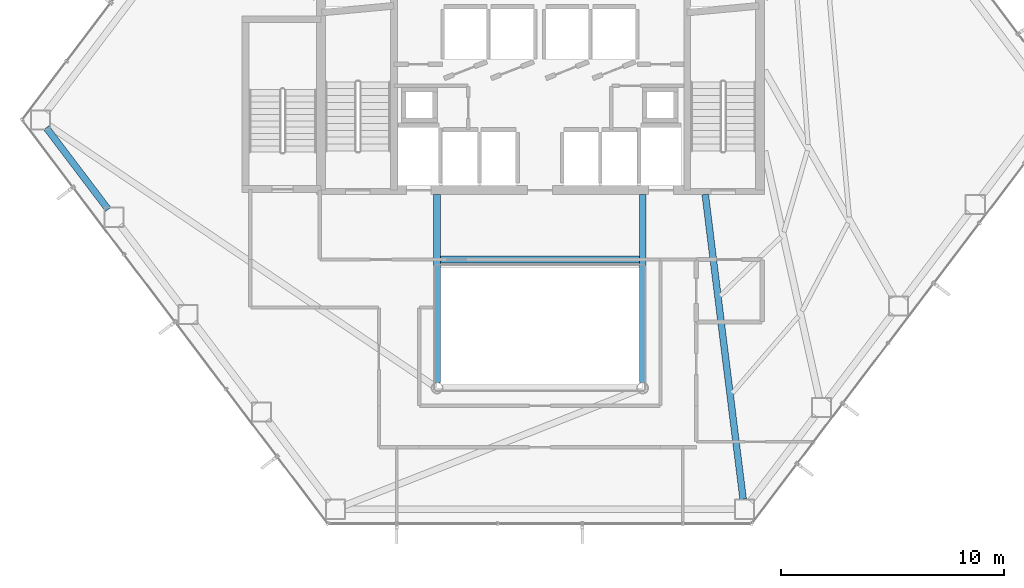
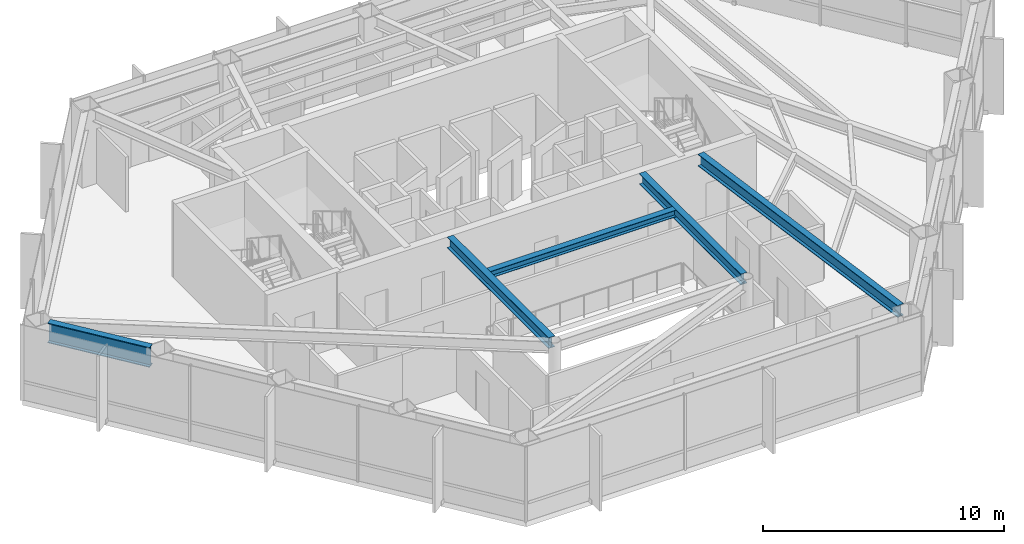
# One storey, part 9 of 24: 5 beams.
"""IFC4 building model written with IfcOpenShell, lengths in metres."""

import ifcopenshell
import ifcopenshell.guid

model = None  # the IFC model being written
_history = None  # IfcOwnerHistory: only IFC2X3 demands one
_inside = {}  # id of a spatial element -> (the spatial element, [elements in it])
_under = {}  # id of a project, library or spatial element -> (it, [spatial elements below it])
_declared = {}  # id of a project -> (the project, [libraries it declares])
_typed = {}  # id of a type object -> (the type object, [elements of that type])
_made_of = {}  # id of a material, layer set ... -> (it, [elements and type objects made of it])


def new_model(schema):
    """Start an empty IFC model of exactly this schema.

    Asked for "IFC4X3", IfcOpenShell would pick the latest addendum, in which some entities
    have other attributes; the version numbers below select the first issue.
    IFC2X3 requires an IfcOwnerHistory on every rooted entity: one is made here for all.
    """
    global model, _history
    if schema == "IFC4X3":
        model = ifcopenshell.file(schema_version=(4, 3, 0, 0))
    else:
        model = ifcopenshell.file(schema=schema)
    _inside.clear()
    _under.clear()
    _declared.clear()
    _typed.clear()
    _made_of.clear()
    _history = None
    if model.schema == "IFC2X3":
        org = make("IfcOrganization", Name="unknown")
        user = make(
            "IfcPersonAndOrganization",
            ThePerson=make("IfcPerson", FamilyName="unknown"),
            TheOrganization=org,
        )
        app = make(
            "IfcApplication",
            ApplicationDeveloper=org,
            Version="unknown",
            ApplicationFullName="unknown",
            ApplicationIdentifier="unknown",
        )
        _history = make(
            "IfcOwnerHistory",
            OwningUser=user,
            OwningApplication=app,
            ChangeAction="ADDED",
            CreationDate=0,
        )
    return model


def make(cls, **values):
    """One entity of the class cls with the attributes given. An attribute that is None is left unset."""
    return model.create_entity(
        cls, **{name: value for name, value in values.items() if value is not None}
    )


def rooted(cls, **values):
    """An entity with a GlobalId (a new one), such as an element, a storey or a relation."""
    return make(cls, GlobalId=ifcopenshell.guid.new(), OwnerHistory=_history, **values)


def si_unit(unit_type, name, prefix=None):
    """IfcSIUnit, for example si_unit("LENGTHUNIT", "METRE", prefix="MILLI")."""
    return make("IfcSIUnit", UnitType=unit_type, Prefix=prefix, Name=name)


def assignment(units):
    """IfcUnitAssignment: the units of a project."""
    return None if units is None else make("IfcUnitAssignment", Units=units)


def point(xyz):
    """IfcCartesianPoint."""
    return None if xyz is None else make("IfcCartesianPoint", Coordinates=xyz)


def direction(xyz):
    """IfcDirection."""
    return None if xyz is None else make("IfcDirection", DirectionRatios=xyz)


def frame(location, z_axis=None, x_axis=None):
    """IfcAxis2Placement3D, a coordinate frame: its origin and axes. An axis left out is left unset."""
    return make(
        "IfcAxis2Placement3D",
        Location=point(location),
        Axis=direction(z_axis),
        RefDirection=direction(x_axis),
    )


def frame_2d(location, x_axis=None):
    """IfcAxis2Placement2D, a coordinate frame in the plane: its origin and x axis."""
    return make(
        "IfcAxis2Placement2D", Location=point(location), RefDirection=direction(x_axis)
    )


def origin():
    """The frame at (0, 0, 0) with its axes left unset."""
    return frame((0.0, 0.0, 0.0))


def origin_2d():
    """The frame at (0, 0) in the plane with its x axis left unset."""
    return frame_2d((0.0, 0.0))


def place(relative_to, where):
    """IfcLocalPlacement: puts the frame where relative to a parent placement (None: the world)."""
    return make(
        "IfcLocalPlacement", PlacementRelTo=relative_to, RelativePlacement=where
    )


def context(
    kind, dimensions, precision=None, world=None, true_north=None, identifier=None
):
    """IfcGeometricRepresentationContext, for example the 3D "Model" context."""
    return make(
        "IfcGeometricRepresentationContext",
        ContextIdentifier=identifier,
        ContextType=kind,
        CoordinateSpaceDimension=dimensions,
        Precision=precision,
        WorldCoordinateSystem=world,
        TrueNorth=true_north,
    )


def subcontext(parent, identifier, kind, view, scale=None):
    """IfcGeometricRepresentationSubContext, for example "Body" below "Model"."""
    return make(
        "IfcGeometricRepresentationSubContext",
        ContextIdentifier=identifier,
        ContextType=kind,
        ParentContext=parent,
        TargetScale=scale,
        TargetView=view,
    )


def project(units=None, contexts=None):
    """IfcProject with its units and contexts."""
    return rooted(
        "IfcProject",
        Name="project",
        RepresentationContexts=contexts,
        UnitsInContext=assignment(units),
    )


def spatial(cls, under=None, at=None, **own):
    """A site, building, storey or space (cls), placed at a placement, below another one or the project."""
    s = rooted(cls, ObjectPlacement=at, **own)
    if under is not None:
        _under.setdefault(under.id(), (under, []))[1].append(s)
    return s


def profile(cls, at=None, kind="AREA", **sizes):
    """A parametric profile (cls). Its sizes go by their IFC names, for example OverallWidth=200.0."""
    return make(cls, ProfileType=kind, Position=at, **sizes)


def i_section(**sizes):
    """IfcIShapeProfileDef."""
    return profile("IfcIShapeProfileDef", **sizes)


def extrude(swept, where, along, depth):
    """IfcExtrudedAreaSolid: the profile swept, set in the frame where, extruded along a direction by depth."""
    return make(
        "IfcExtrudedAreaSolid",
        SweptArea=swept,
        Position=where,
        ExtrudedDirection=direction(along),
        Depth=depth,
    )


def shape(context_of_items, identifier, shape_type, items):
    """IfcShapeRepresentation: the items that make up one representation, for example the "Body"."""
    return make(
        "IfcShapeRepresentation",
        ContextOfItems=context_of_items,
        RepresentationIdentifier=identifier,
        RepresentationType=shape_type,
        Items=items,
    )


def material(Name=None, Category=None):
    """IfcMaterial."""
    return make("IfcMaterial", Name=Name, Category=Category)


def material_profile(
    of_material, cross_section, Name=None, Category=None, Priority=None
):
    """IfcMaterialProfile: a cross section and its material."""
    return make(
        "IfcMaterialProfile",
        Name=Name,
        Material=of_material,
        Profile=cross_section,
        Priority=Priority,
        Category=Category,
    )


def profile_set(profiles, Name=None, composite=None):
    """IfcMaterialProfileSet."""
    return make(
        "IfcMaterialProfileSet",
        Name=Name,
        MaterialProfiles=profiles,
        CompositeProfile=composite,
    )


def made_of(thing, what):
    """Note that an element or type object is made of a material, layer set ...; save() writes the relation."""
    if what is not None:
        _made_of.setdefault(what.id(), (what, []))[1].append(thing)
    return thing


def type_object(cls, material=None, **own):
    """A type object (cls), such as IfcWallType, which elements share."""
    return made_of(rooted(cls, **own), material)


def element(
    cls,
    number,
    at=None,
    inside=None,
    cuts=None,
    type_object=None,
    material=None,
    context=None,
    identifier="Body",
    shape_type=None,
    held_by="IfcProductDefinitionShape",
    body=None,
    shapes=None,
    **own,
):
    """One element of the class cls, such as IfcWall. Its Tag is "e" and its number.

    at: its placement. inside: the storey or other place that contains it. cuts: it is an
    opening in that element (IfcRelVoidsElement). A single representation is given by context,
    identifier, shape_type and body (its items); several are given by shapes. held_by: the class
    of the entity that holds the representations. save() writes the other relations.
    """
    e = rooted(cls, Tag="e%d" % number, ObjectPlacement=at, **own)
    if body is not None:
        shapes = [shape(context, identifier, shape_type, body)]
    if shapes is not None:
        e.Representation = make(held_by, Representations=shapes)
    if inside is not None:
        _inside.setdefault(inside.id(), (inside, []))[1].append(e)
    if cuts is not None:
        rooted(
            "IfcRelVoidsElement", RelatingBuildingElement=cuts, RelatedOpeningElement=e
        )
    if type_object is not None:
        _typed.setdefault(type_object.id(), (type_object, []))[1].append(e)
    return made_of(e, material)


def aggregate(whole, parts):
    """IfcRelAggregates: a whole, such as a stair, and the parts it consists of."""
    return rooted("IfcRelAggregates", RelatingObject=whole, RelatedObjects=parts)


def save(model, path):
    """Write the relations noted so far, then the file.

    IfcRelAggregates (storeys below a building ...), IfcRelContainedInSpatialStructure (elements
    in a storey), IfcRelDefinesByType, IfcRelAssociatesMaterial and IfcRelDeclares: one each for
    every whole, place, type object, material and project.
    """
    for whole, parts in _under.values():
        aggregate(whole, parts)
    for where, things in _inside.values():
        rooted(
            "IfcRelContainedInSpatialStructure",
            RelatedElements=things,
            RelatingStructure=where,
        )
    for kind, things in _typed.values():
        rooted("IfcRelDefinesByType", RelatedObjects=things, RelatingType=kind)
    for what, things in _made_of.values():
        rooted("IfcRelAssociatesMaterial", RelatedObjects=things, RelatingMaterial=what)
    for by, libraries in _declared.values():
        rooted("IfcRelDeclares", RelatingContext=by, RelatedDefinitions=libraries)
    model.write(path)


model = new_model("IFC4")

# Units and contexts
model_context = context("Model", 3, precision=1e-05, world=origin(), true_north=direction((0.0, 1.0)))
body_context = subcontext(model_context, "Body", "Model", "MODEL_VIEW")
ifc_project = project(units=[si_unit("LENGTHUNIT", "METRE"), si_unit("AREAUNIT", "SQUARE_METRE"), si_unit("VOLUMEUNIT", "CUBIC_METRE"), si_unit("PLANEANGLEUNIT", "RADIAN"), si_unit("MASSUNIT", "GRAM", prefix="KILO")], contexts=[model_context])

# Site, building, storey
site_placement = place(None, origin())
site = spatial("IfcSite", under=ifc_project, at=site_placement, CompositionType="ELEMENT")
building_placement = place(site_placement, origin())
building = spatial("IfcBuilding", under=site, at=building_placement, Name="Zarrinselat Tower", CompositionType="ELEMENT")
storey_placement = place(building_placement, frame((0.0, 0.0, 96.89990234375)))
storey = spatial("IfcBuildingStorey", under=building, at=storey_placement, Name="L23", CompositionType="ELEMENT", Elevation=96.89990234375)

# Beams
ifc_material_1 = material(Name="Steel S355J2", Category="steel")
ifc_material_profile_1 = material_profile(ifc_material_1, i_section(OverallWidth=0.300048828125, OverallDepth=0.35009765625, WebThickness=0.010009765625, FlangeThickness=0.017578125, at=origin_2d()), Name="HEA 360")
ifc_profile_set_1 = profile_set([ifc_material_profile_1], Name="Steel S355J2")
beam_type_1 = type_object("IfcBeamType", Name="BM-HEA360", PredefinedType="LINTEL", material=ifc_profile_set_1)
beam_1_placement = place(storey_placement, frame((33.93994140625, 30.14990234375, 3.64501953125), z_axis=(1.0, 0.0, 0.0), x_axis=(0.0, 1.0, 0.0)))
element("IfcBeam", 1, at=beam_1_placement, inside=storey, type_object=beam_type_1, Name="L23 Lift Lobby Ceiling Beam", PredefinedType="LINTEL", context=body_context, shape_type="SweptSolid", body=[
    extrude(i_section(OverallWidth=0.300048828125, OverallDepth=0.35009765625, WebThickness=0.010009765625, FlangeThickness=0.017578125, at=origin_2d()), origin(), (0.0, 0.0, 1.0), 8.920166015625),
])
ifc_material_2 = material(Name="Steel S355J2", Category="steel")
ifc_material_profile_2 = material_profile(ifc_material_2, i_section(OverallWidth=0.300048828125, OverallDepth=0.550048828125, WebThickness=0.014892578125, FlangeThickness=0.029052734375, at=origin_2d()), Name="HEB 550")
ifc_profile_set_2 = profile_set([ifc_material_profile_2], Name="Steel S355J2")
beam_type_2 = type_object("IfcBeamType", Name="BM-HEB550", PredefinedType="BEAM", material=ifc_profile_set_2)
for number, where, z_axis, x_axis, name in (
    (2, (33.800048828125, 24.639892578125, 3.545166015625), (0.0, 1.0, 0.0), (-1.0, 0.0, 0.0), "L23 Atrium Edge Beam W"),
    (3, (43.0, 24.639892578125, 3.545166015625), (0.0, 1.0, 0.0), (-1.0, 0.0, 0.0), "L23 Atrium Edge Beam E"),
):
    element("IfcBeam", number, at=place(storey_placement, frame(where, z_axis=z_axis, x_axis=x_axis)), inside=storey, type_object=beam_type_2, Name=name, PredefinedType="BEAM", context=body_context, shape_type="SweptSolid", body=[
        extrude(i_section(OverallWidth=0.300048828125, OverallDepth=0.550048828125, WebThickness=0.014892578125, FlangeThickness=0.029052734375, at=origin_2d()), origin(), (0.0, 0.0, 1.0), 8.420166015625),
    ])
ifc_material_3 = material(Name="Steel S355J2", Category="steel")
ifc_material_profile_3 = material_profile(ifc_material_3, i_section(OverallWidth=0.300048828125, OverallDepth=0.60009765625, WebThickness=0.015380859375, FlangeThickness=0.030029296875, at=origin_2d()), Name="HEB 600")
ifc_profile_set_3 = profile_set([ifc_material_profile_3], Name="Steel S355J2")
beam_type_3 = type_object("IfcBeamType", Name="BM-HEB600", PredefinedType="BEAM", material=ifc_profile_set_3)
beam_2_placement = place(storey_placement, frame((45.800048828125, 33.06005859375, 3.52001953125), z_axis=(0.12335899827, -0.992362110092, 0.0), x_axis=(0.992362110092, 0.12335899827, 0.0)))
element("IfcBeam", 4, at=beam_2_placement, inside=storey, type_object=beam_type_3, Name="L23 Radial Primary Girder RG11", PredefinedType="BEAM", context=body_context, shape_type="SweptSolid", body=[
    extrude(i_section(OverallWidth=0.300048828125, OverallDepth=0.60009765625, WebThickness=0.015380859375, FlangeThickness=0.030029296875, at=origin_2d()), origin(), (0.0, 0.0, 1.0), 13.740966796875),
])
ifc_material_4 = material(Name="Steel S460M", Category="steel")
ifc_material_profile_4 = material_profile(ifc_material_4, i_section(OverallWidth=0.302001953125, OverallDepth=1.008056640625, WebThickness=0.02099609375, FlangeThickness=0.0400390625, at=origin_2d()), Name="HEM 1000")
ifc_profile_set_4 = profile_set([ifc_material_profile_4], Name="Steel S460M")
beam_type_4 = type_object("IfcBeamType", Name="BM-HEM1000", PredefinedType="BEAM", material=ifc_profile_set_4)
beam_3_placement = place(storey_placement, frame((16.31640625, 36.046875, 3.316162109375), z_axis=(0.603833098178, -0.797110776206, 0.0), x_axis=(0.797110776206, 0.603833098178, 0.0)))
element("IfcBeam", 5, at=beam_3_placement, inside=storey, type_object=beam_type_4, Name="L23 Perimeter Spandrel Girder SP06", PredefinedType="BEAM", context=body_context, shape_type="SweptSolid", body=[
    extrude(i_section(OverallWidth=0.302001953125, OverallDepth=1.008056640625, WebThickness=0.02099609375, FlangeThickness=0.0400390625, at=origin_2d()), origin(), (0.0, 0.0, 1.0), 4.587890625),
])

save(model, "model.ifc")
